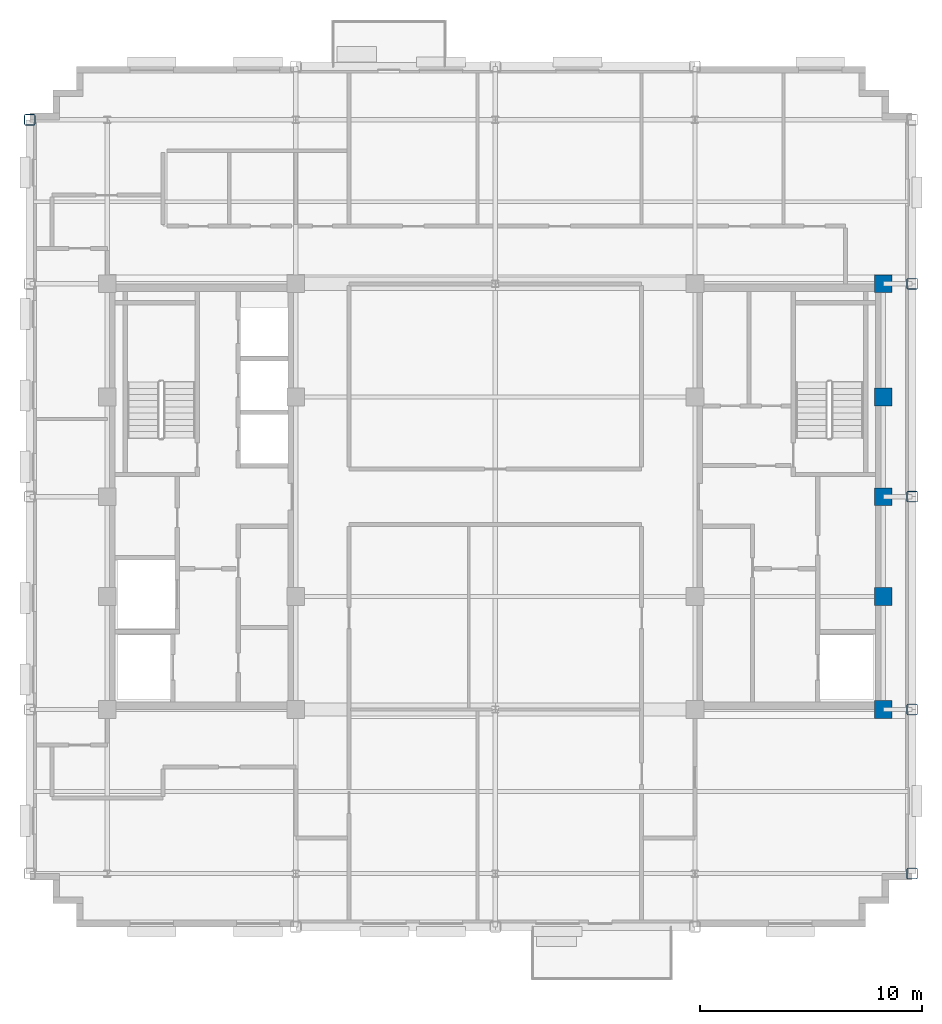
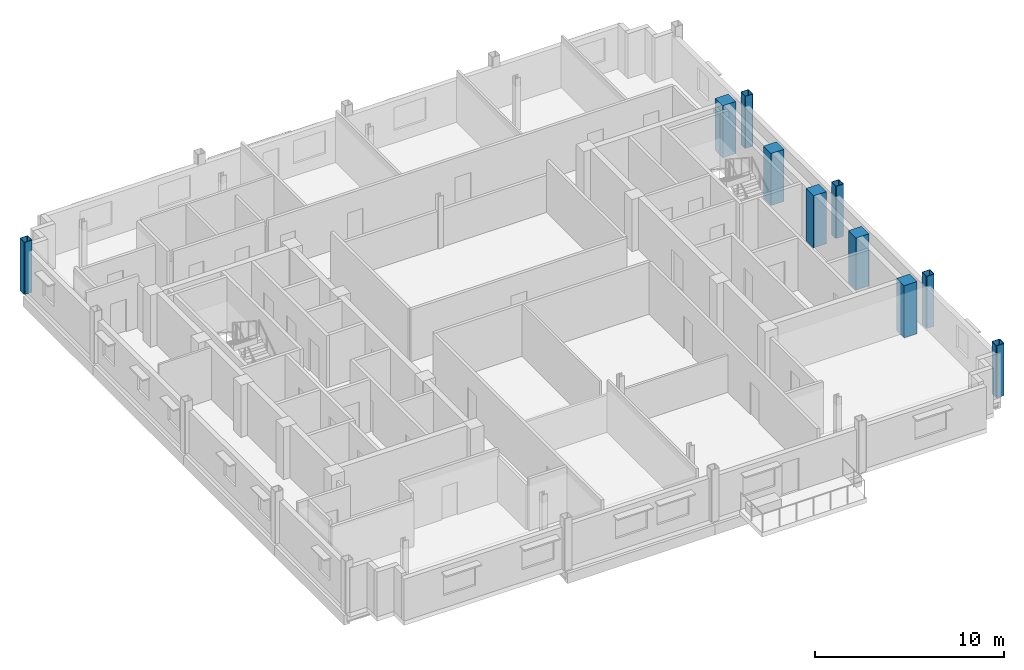
# One storey, part 2 of 13: 10 columns.
"""IFC4 building model written with IfcOpenShell, lengths in metres."""

from ifc_helpers import new_model, si_unit, direction, frame, origin, origin_2d, place, context, subcontext, project, spatial, rectangle, hollow_rectangle, extrude, material, material_profile, profile_set, type_object, element, save


model = new_model("IFC4")

# Units and contexts
model_context = context("Model", 3, precision=1e-05, world=origin(), true_north=direction((0.0, 1.0)))
body_context = subcontext(model_context, "Body", "Model", "MODEL_VIEW")
ifc_project = project(units=[si_unit("LENGTHUNIT", "METRE"), si_unit("AREAUNIT", "SQUARE_METRE"), si_unit("VOLUMEUNIT", "CUBIC_METRE"), si_unit("PLANEANGLEUNIT", "RADIAN"), si_unit("MASSUNIT", "GRAM", prefix="KILO")], contexts=[model_context])

# Site, building, storey
site_placement = place(None, origin())
site = spatial("IfcSite", under=ifc_project, at=site_placement, CompositionType="ELEMENT")
building_placement = place(site_placement, origin())
building = spatial("IfcBuilding", under=site, at=building_placement, Name="Nuvemarco Arch Tower", CompositionType="ELEMENT")
storey_placement = place(building_placement, frame((0.0, 0.0, 261.60009765625)))
storey = spatial("IfcBuildingStorey", under=building, at=storey_placement, Name="L69", CompositionType="ELEMENT", Elevation=261.60009765625)

# Columns
ifc_material_1 = material(Name="Concrete C50/60", Category="concrete")
ifc_material_profile_1 = material_profile(ifc_material_1, rectangle(XDim=0.800048828125, YDim=0.800048828125, at=origin_2d()), Name="RC-COL-800x800")
ifc_profile_set_1 = profile_set([ifc_material_profile_1], Name="Concrete C50/60")
column_type_1 = type_object("IfcColumnType", Name="COL-CORE-800", PredefinedType="COLUMN", material=ifc_profile_set_1)
for number, where, z_axis, x_axis, name in (
    (1, (17.5, -9.60009765625, 0.0), (0.0, 0.0, 1.0), (1.0, 0.0, 0.0), "L69 column CC_+17.5_-9.6"),
    (2, (17.5, -4.5, 0.0), (0.0, 0.0, 1.0), (1.0, 0.0, 0.0), "L69 column CC_+17.5_-4.5"),
    (3, (17.5, 4.5, 0.0), (0.0, 0.0, 1.0), (1.0, 0.0, 0.0), "L69 column CC_+17.5_+4.5"),
    (4, (17.5, 9.60009765625, 0.0), (0.0, 0.0, 1.0), (1.0, 0.0, 0.0), "L69 column CC_+17.5_+9.6"),
    (5, (17.5, 0.0, 0.0), (0.0, 0.0, 1.0), (1.0, 0.0, 0.0), "L69 column CC_+17.5_+0.0"),
):
    element("IfcColumn", number, at=place(storey_placement, frame(where, z_axis=z_axis, x_axis=x_axis)), inside=storey, type_object=column_type_1, Name=name, PredefinedType="COLUMN", context=body_context, shape_type="SweptSolid", body=[
        extrude(rectangle(XDim=0.800048828125, YDim=0.800048828125, at=origin_2d()), origin(), (0.0, 0.0, 1.0), 3.369873046875),
    ])
ifc_material_2 = material(Name="Steel S355", Category="steel")
ifc_material_profile_2 = material_profile(ifc_material_2, hollow_rectangle(XDim=0.5, YDim=0.5, WallThickness=0.031982421875, InnerFilletRadius=0.031982421875, OuterFilletRadius=0.06396484375, at=origin_2d()), Name="SHS500x500x32")
ifc_profile_set_2 = profile_set([ifc_material_profile_2], Name="Steel S355")
column_type_2 = type_object("IfcColumnType", Name="COL-EXO-500", PredefinedType="COLUMN", material=ifc_profile_set_2)
for number, where, z_axis, x_axis, name in (
    (6, (-21.0, 17.0, 0.0), (0.0, 0.0, 1.0), (1.0, 0.0, 0.0), "L69 column CX_-21.0_+17.0"),
    (7, (18.800048828125, -17.0, 0.0), (0.0, 0.0, 1.0), (1.0, 0.0, 0.0), "L69 column CX_+18.8_-17.0"),
    (8, (18.800048828125, -9.60009765625, 0.0), (0.0, 0.0, 1.0), (1.0, 0.0, 0.0), "L69 column CX_+18.8_-9.6"),
    (9, (18.800048828125, 0.0, 0.0), (0.0, 0.0, 1.0), (1.0, 0.0, 0.0), "L69 column CX_+18.8_+0.0"),
    (10, (18.800048828125, 9.60009765625, 0.0), (0.0, 0.0, 1.0), (1.0, 0.0, 0.0), "L69 column CX_+18.8_+9.6"),
):
    element("IfcColumn", number, at=place(storey_placement, frame(where, z_axis=z_axis, x_axis=x_axis)), inside=storey, type_object=column_type_2, Name=name, PredefinedType="COLUMN", context=body_context, shape_type="SweptSolid", body=[
        extrude(hollow_rectangle(XDim=0.5, YDim=0.5, WallThickness=0.031982421875, InnerFilletRadius=0.031982421875, OuterFilletRadius=0.06396484375, at=origin_2d()), origin(), (0.0, 0.0, 1.0), 3.369873046875),
    ])

save(model, "model.ifc")
